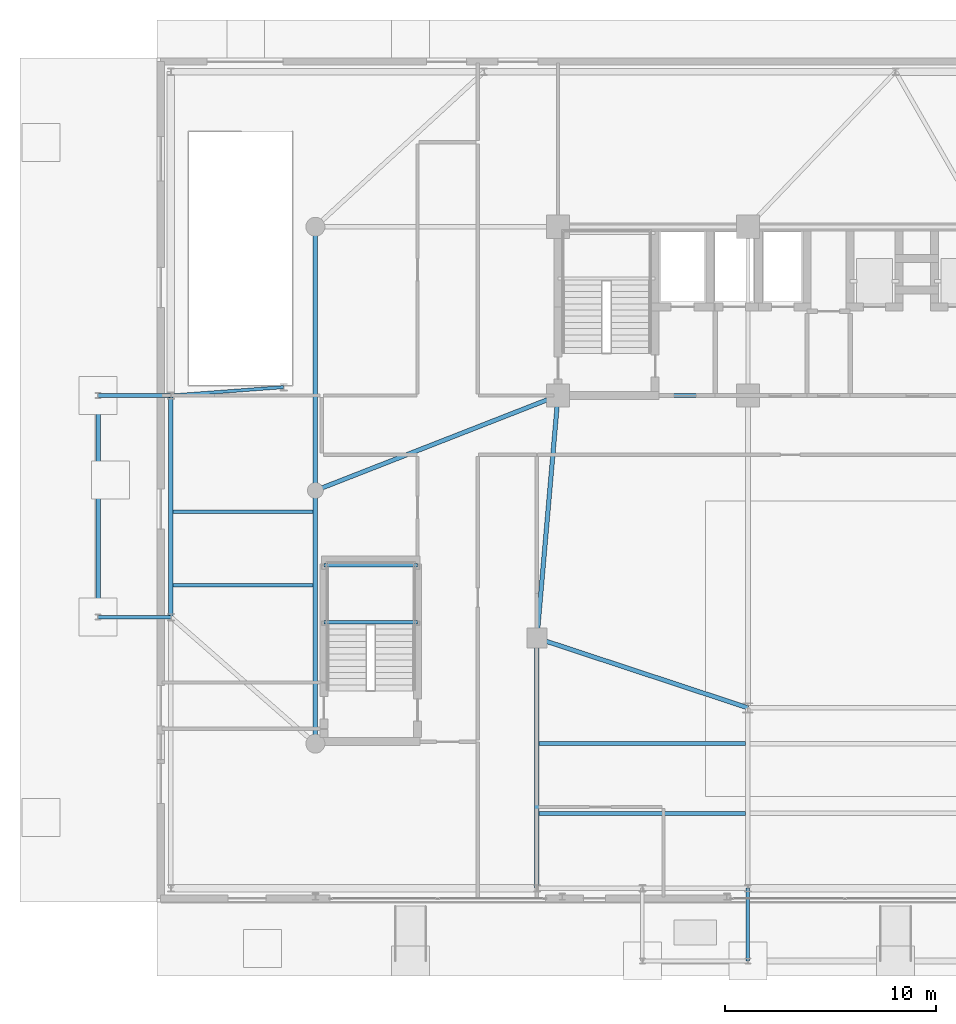
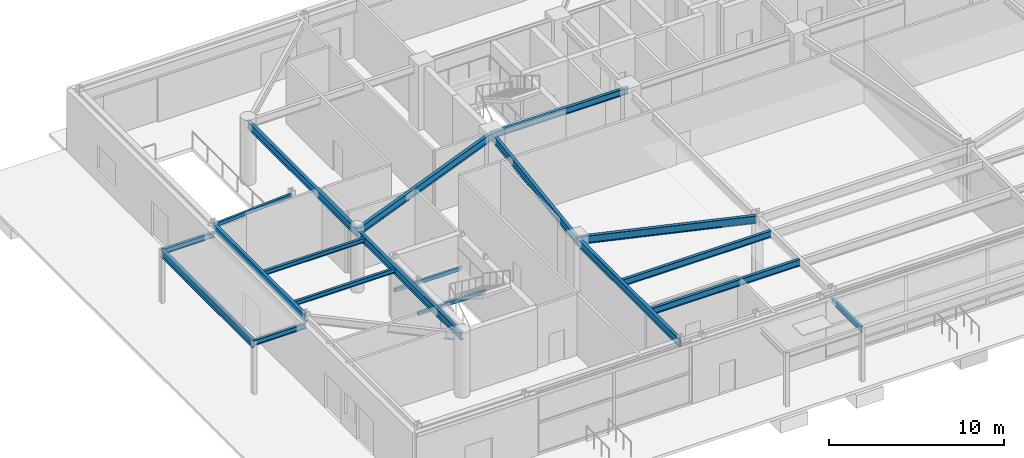
# One storey, part 10 of 29: 19 beams.
"""IFC4 building model written with IfcOpenShell, lengths in metres."""

from ifc_helpers import new_model, si_unit, direction, frame, origin, origin_2d, place, context, subcontext, project, spatial, hollow_rectangle, i_section, extrude, source, transform, mapped, material, material_profile, profile_set, type_object, element, save


model = new_model("IFC4")

# Units and contexts
model_context = context("Model", 3, precision=1e-05, world=origin(), true_north=direction((0.0, 1.0)))
body_context = subcontext(model_context, "Body", "Model", "MODEL_VIEW")
ifc_project = project(units=[si_unit("LENGTHUNIT", "METRE"), si_unit("AREAUNIT", "SQUARE_METRE"), si_unit("VOLUMEUNIT", "CUBIC_METRE"), si_unit("PLANEANGLEUNIT", "RADIAN"), si_unit("MASSUNIT", "GRAM", prefix="KILO")], contexts=[model_context])

# Site, building, storey
site_placement = place(None, origin())
site = spatial("IfcSite", under=ifc_project, at=site_placement, CompositionType="ELEMENT")
building_placement = place(site_placement, origin())
building = spatial("IfcBuilding", under=site, at=building_placement, Name="Taldren Reach Tower", CompositionType="ELEMENT")
storey_placement = place(building_placement, origin())
storey = spatial("IfcBuildingStorey", under=building, at=storey_placement, Name="L00", CompositionType="ELEMENT", Elevation=0.0)

# Beams
ifc_material_1 = material(Name="Steel Gr 350 (350PLUS)", Category="steel")
ifc_material_profile_1 = material_profile(ifc_material_1, i_section(OverallWidth=0.19091796875, OverallDepth=0.4599609375, WebThickness=0.010009765625, FlangeThickness=0.01611328125, at=origin_2d()), Name="460UB82.1")
ifc_profile_set_1 = profile_set([ifc_material_profile_1], Name="Steel Gr 350 (350PLUS)")
beam_type_1 = type_object("IfcBeamType", Name="BM-UB460A", PredefinedType="BEAM", material=ifc_profile_set_1)
shared_shape_1 = source(origin(), body_context, "Body", "SweptSolid", [
    extrude(i_section(OverallWidth=0.19091796875, OverallDepth=0.4599609375, WebThickness=0.010009765625, FlangeThickness=0.01611328125, at=origin_2d()), origin(), (0.0, 0.0, 1.0), 9.0),
])
beam_1_placement = place(storey_placement, frame((19.0, 24.0, 4.06005859375), z_axis=(1.0, 0.0, 0.0), x_axis=(0.0, 1.0, 0.0)))
element("IfcBeam", 1, at=beam_1_placement, inside=storey, type_object=beam_type_1, Name="Core-spine girder L00-SP01", PredefinedType="BEAM", context=body_context, shape_type="MappedRepresentation", body=[
    mapped(shared_shape_1, transform((0.0, 0.0, 0.0), scale=1.0)),
])
ifc_material_profile_2 = material_profile(ifc_material_1, i_section(OverallWidth=0.208984375, OverallDepth=0.532958984375, WebThickness=0.01025390625, FlangeThickness=0.015625, at=origin_2d()), Name="530UB92.4")
ifc_profile_set_2 = profile_set([ifc_material_profile_2], Name="Steel Gr 350 (350PLUS)")
beam_type_2 = type_object("IfcBeamType", Name="BM-UB530A", PredefinedType="BEAM", material=ifc_profile_set_2)
shared_shape_2 = source(origin(), body_context, "Body", "SweptSolid", [
    extrude(i_section(OverallWidth=0.208984375, OverallDepth=0.532958984375, WebThickness=0.01025390625, FlangeThickness=0.015625, at=origin_2d()), origin(), (0.0, 0.0, 1.0), 11.54345703125),
])
beam_2_placement = place(storey_placement, frame((19.0, 24.0, 4.0234375), z_axis=(-0.086629616365, -0.996240588196, 0.0), x_axis=(0.996240588196, -0.086629616365, 0.0)))
element("IfcBeam", 2, at=beam_2_placement, inside=storey, type_object=beam_type_2, Name="Core-spine girder L00-SP09", PredefinedType="BEAM", context=body_context, shape_type="MappedRepresentation", body=[
    mapped(shared_shape_2, transform((0.0, 0.0, 0.0), scale=1.0)),
])
shared_shape_3 = source(origin(), body_context, "Body", "SweptSolid", [
    extrude(i_section(OverallWidth=0.208984375, OverallDepth=0.532958984375, WebThickness=0.01025390625, FlangeThickness=0.015625, at=origin_2d()), origin(), (0.0, 0.0, 1.0), 10.530517578125),
])
beam_3_placement = place(storey_placement, frame((18.0, 12.5, 4.0234375), z_axis=(0.949627269203, -0.313381635689, 0.0), x_axis=(0.313381635689, 0.949627269203, 0.0)))
element("IfcBeam", 3, at=beam_3_placement, inside=storey, type_object=beam_type_2, Name="Core-spine girder L00-SP10", PredefinedType="BEAM", context=body_context, shape_type="MappedRepresentation", body=[
    mapped(shared_shape_3, transform((0.0, 0.0, 0.0), scale=1.0)),
])
ifc_material_profile_3 = material_profile(ifc_material_1, i_section(OverallWidth=0.208984375, OverallDepth=0.528076171875, WebThickness=0.009521484375, FlangeThickness=0.01318359375, at=origin_2d()), Name="530UB82.0")
ifc_profile_set_3 = profile_set([ifc_material_profile_3], Name="Steel Gr 350 (350PLUS)")
beam_type_3 = type_object("IfcBeamType", Name="SP-UB530B", PredefinedType="SPANDREL", material=ifc_profile_set_3)
shared_shape_4 = source(origin(), body_context, "Body", "SweptSolid", [
    extrude(i_section(OverallWidth=0.208984375, OverallDepth=0.528076171875, WebThickness=0.009521484375, FlangeThickness=0.01318359375, at=origin_2d()), origin(), (0.0, 0.0, 1.0), 10.5),
])
beam_4_placement = place(storey_placement, frame((0.64990234375, 13.5, 4.02587890625), z_axis=(0.0, 1.0, 0.0), x_axis=(-1.0, 0.0, 0.0)))
element("IfcBeam", 4, at=beam_4_placement, inside=storey, type_object=beam_type_3, Name="Podium beam L00-PD13", PredefinedType="SPANDREL", context=body_context, shape_type="MappedRepresentation", body=[
    mapped(shared_shape_4, transform((0.0, 0.0, 0.0), scale=1.0)),
])
shared_shape_5 = source(origin(), body_context, "Body", "SweptSolid", [
    extrude(i_section(OverallWidth=0.208984375, OverallDepth=0.532958984375, WebThickness=0.01025390625, FlangeThickness=0.015625, at=origin_2d()), origin(), (0.0, 0.0, 1.0), 12.0),
])
beam_5_placement = place(storey_placement, frame((7.5, 7.5, 4.0234375), z_axis=(0.0, 1.0, 0.0), x_axis=(-1.0, 0.0, 0.0)))
element("IfcBeam", 5, at=beam_5_placement, inside=storey, type_object=beam_type_2, Name="Podium beam L00-PD19", PredefinedType="BEAM", context=body_context, shape_type="MappedRepresentation", body=[
    mapped(shared_shape_5, transform((0.0, 0.0, 0.0), scale=1.0)),
])
shared_shape_6 = source(origin(), body_context, "Body", "SweptSolid", [
    extrude(i_section(OverallWidth=0.208984375, OverallDepth=0.532958984375, WebThickness=0.01025390625, FlangeThickness=0.015625, at=origin_2d()), origin(), (0.0, 0.0, 1.0), 12.5),
])
beam_6_placement = place(storey_placement, frame((7.5, 19.5, 4.0234375), z_axis=(0.0, 1.0, 0.0), x_axis=(-1.0, 0.0, 0.0)))
element("IfcBeam", 6, at=beam_6_placement, inside=storey, type_object=beam_type_2, Name="Podium beam L00-PD20", PredefinedType="BEAM", context=body_context, shape_type="MappedRepresentation", body=[
    mapped(shared_shape_6, transform((0.0, 0.0, 0.0), scale=1.0)),
])
shared_shape_7 = source(origin(), body_context, "Body", "SweptSolid", [
    extrude(i_section(OverallWidth=0.208984375, OverallDepth=0.532958984375, WebThickness=0.01025390625, FlangeThickness=0.015625, at=origin_2d()), origin(), (0.0, 0.0, 1.0), 11.85009765625),
])
beam_7_placement = place(storey_placement, frame((18.0, 0.64990234375, 4.0234375), z_axis=(0.0, 1.0, 0.0), x_axis=(-1.0, 0.0, 0.0)))
element("IfcBeam", 7, at=beam_7_placement, inside=storey, type_object=beam_type_2, Name="Podium beam L00-PD22", PredefinedType="BEAM", context=body_context, shape_type="MappedRepresentation", body=[
    mapped(shared_shape_7, transform((0.0, 0.0, 0.0), scale=1.0)),
])
shared_shape_8 = source(origin(), body_context, "Body", "SweptSolid", [
    extrude(i_section(OverallWidth=0.208984375, OverallDepth=0.532958984375, WebThickness=0.01025390625, FlangeThickness=0.015625, at=origin_2d()), origin(), (0.0, 0.0, 1.0), 12.34912109375),
])
beam_8_placement = place(storey_placement, frame((7.5, 19.5, 4.0234375), z_axis=(0.931242779706, 0.364399348581, 0.0), x_axis=(-0.364399348581, 0.931242779706, 0.0)))
element("IfcBeam", 8, at=beam_8_placement, inside=storey, type_object=beam_type_2, Name="Podium beam L00-PD30", PredefinedType="BEAM", context=body_context, shape_type="MappedRepresentation", body=[
    mapped(shared_shape_8, transform((0.0, 0.0, 0.0), scale=1.0)),
])
shared_shape_9 = source(origin(), body_context, "Body", "SweptSolid", [
    extrude(i_section(OverallWidth=0.19091796875, OverallDepth=0.4599609375, WebThickness=0.010009765625, FlangeThickness=0.01611328125, at=origin_2d()), origin(), (0.0, 0.0, 1.0), 9.791015625),
])
for number, where, z_axis, x_axis, name in (
    (9, (18.1044921875, 4.199951171875, 4.06005859375), (1.0, 0.0, 0.0), (0.0, 1.0, 0.0), "Podium composite floor beam L00-1.1"),
    (10, (18.1044921875, 7.5, 4.06005859375), (1.0, 0.0, 0.0), (0.0, 1.0, 0.0), "Podium composite floor beam L00-2.1"),
):
    element("IfcBeam", number, at=place(storey_placement, frame(where, z_axis=z_axis, x_axis=x_axis)), inside=storey, type_object=beam_type_1, Name=name, PredefinedType="BEAM", context=body_context, shape_type="MappedRepresentation", body=[
        mapped(shared_shape_9, transform((0.0, 0.0, 0.0), scale=1.0)),
    ])
ifc_material_2 = material(Name="Steel Gr 300 (300PLUS, 300 MPa)", Category="steel")
ifc_material_profile_4 = material_profile(ifc_material_2, i_section(OverallWidth=0.166015625, OverallDepth=0.306884765625, WebThickness=0.006591796875, FlangeThickness=0.01171875, at=origin_2d()), Name="310UB46.2")
ifc_profile_set_4 = profile_set([ifc_material_profile_4], Name="Steel Gr 300 (300PLUS, 300 MPa)")
beam_type_4 = type_object("IfcBeamType", Name="JS-UB310", PredefinedType="JOIST", material=ifc_profile_set_4)
shared_shape_10 = source(origin(), body_context, "Body", "SweptSolid", [
    extrude(i_section(OverallWidth=0.166015625, OverallDepth=0.306884765625, WebThickness=0.006591796875, FlangeThickness=0.01171875, at=origin_2d()), origin(), (0.0, 0.0, 1.0), 6.64111328125),
])
for number, where, z_axis, x_axis, name in (
    (11, (0.75439453125, 15.0, 4.136474609375), (1.0, 0.0, 0.0), (0.0, 1.0, 0.0), "Podium wing floor joist L00-3.1"),
    (12, (0.75439453125, 18.5, 4.136474609375), (1.0, 0.0, 0.0), (0.0, 1.0, 0.0), "Podium wing floor joist L00-4.1"),
):
    element("IfcBeam", number, at=place(storey_placement, frame(where, z_axis=z_axis, x_axis=x_axis)), inside=storey, type_object=beam_type_4, Name=name, PredefinedType="JOIST", context=body_context, shape_type="MappedRepresentation", body=[
        mapped(shared_shape_10, transform((0.0, 0.0, 0.0), scale=1.0)),
    ])
ifc_material_3 = material(Name="Steel Gr 350 (C350L0)", Category="steel")
ifc_material_profile_5 = material_profile(ifc_material_3, hollow_rectangle(XDim=0.14990234375, YDim=0.25, WallThickness=0.009033203125, at=origin_2d()), Name="250x150x9.0RHS")
ifc_profile_set_5 = profile_set([ifc_material_profile_5], Name="Steel Gr 350 (C350L0)")
beam_type_5 = type_object("IfcBeamType", Name="LN-RHS250", PredefinedType="LINTEL", material=ifc_profile_set_5)
shared_shape_11 = source(origin(), body_context, "Body", "SweptSolid", [
    extrude(hollow_rectangle(XDim=0.14990234375, YDim=0.25, WallThickness=0.009033203125, at=origin_2d()), origin(), (0.0, 0.0, 1.0), 5.364990234375),
])
beam_9_placement = place(storey_placement, frame((0.64990234375, 24.0, 4.1650390625), z_axis=(0.997218114176, 0.074538800357, 0.0), x_axis=(-0.074538800357, 0.997218114176, 0.0)))
element("IfcBeam", 13, at=beam_9_placement, inside=storey, type_object=beam_type_5, Name="Vehicle ramp portal lintel L00", PredefinedType="LINTEL", context=body_context, shape_type="MappedRepresentation", body=[
    mapped(shared_shape_11, transform((0.0, 0.0, 0.0), scale=1.0)),
])
ifc_material_profile_6 = material_profile(ifc_material_1, i_section(OverallWidth=0.172119140625, OverallDepth=0.35888671875, WebThickness=0.008056640625, FlangeThickness=0.012939453125, at=origin_2d()), Name="360UB56.7")
ifc_profile_set_6 = profile_set([ifc_material_profile_6], Name="Steel Gr 350 (350PLUS)")
beam_type_6 = type_object("IfcBeamType", Name="SP-UB360", PredefinedType="SPANDREL", material=ifc_profile_set_6)
shared_shape_12 = source(origin(), body_context, "Body", "SweptSolid", [
    extrude(i_section(OverallWidth=0.172119140625, OverallDepth=0.35888671875, WebThickness=0.008056640625, FlangeThickness=0.012939453125, at=origin_2d()), origin(), (0.0, 0.0, 1.0), 3.449951171875),
])
for number, where, z_axis, x_axis, name in (
    (14, (28.0, 0.64990234375, 3.54052734375), (0.0, -1.0, 0.0), (1.0, 0.0, 0.0), "South canopy beam 28"),
    (15, (0.64990234375, 13.5, 3.54052734375), (-1.0, 0.0, 0.0), (0.0, -1.0, 0.0), "West canopy beam 13"),
    (16, (0.64990234375, 24.0, 3.54052734375), (-1.0, 0.0, 0.0), (0.0, -1.0, 0.0), "West canopy beam 24"),
):
    element("IfcBeam", number, at=place(storey_placement, frame(where, z_axis=z_axis, x_axis=x_axis)), inside=storey, type_object=beam_type_6, Name=name, PredefinedType="SPANDREL", context=body_context, shape_type="MappedRepresentation", body=[
        mapped(shared_shape_12, transform((0.0, 0.0, 0.0), scale=1.0)),
    ])
shared_shape_13 = source(origin(), body_context, "Body", "SweptSolid", [
    extrude(i_section(OverallWidth=0.208984375, OverallDepth=0.532958984375, WebThickness=0.01025390625, FlangeThickness=0.015625, at=origin_2d()), origin(), (0.0, 0.0, 1.0), 10.5),
])
beam_10_placement = place(storey_placement, frame((-2.800048828125, 13.5, 3.45361328125), z_axis=(0.0, 1.0, 0.0), x_axis=(-1.0, 0.0, 0.0)))
element("IfcBeam", 17, at=beam_10_placement, inside=storey, type_object=beam_type_2, Name="West canopy edge girder", PredefinedType="BEAM", context=body_context, shape_type="MappedRepresentation", body=[
    mapped(shared_shape_13, transform((0.0, 0.0, 0.0), scale=1.0)),
])
shared_shape_14 = source(origin(), body_context, "Body", "SweptSolid", [
    extrude(hollow_rectangle(XDim=0.14990234375, YDim=0.25, WallThickness=0.009033203125, at=origin_2d()), origin(), (0.0, 0.0, 1.0), 4.440185546875),
])
for number, where, z_axis, x_axis, name in (
    (18, (7.89990234375, 13.2548828125, 1.969970703125), (1.0, 0.0, 0.0), (0.0, 1.0, 0.0), "Stair half-landing support beam ST3-L00-1"),
    (19, (7.89990234375, 15.9599609375, 1.969970703125), (1.0, 0.0, 0.0), (0.0, 1.0, 0.0), "Stair half-landing support beam ST3-L00-2"),
):
    element("IfcBeam", number, at=place(storey_placement, frame(where, z_axis=z_axis, x_axis=x_axis)), inside=storey, type_object=beam_type_5, Name=name, PredefinedType="LINTEL", context=body_context, shape_type="MappedRepresentation", body=[
        mapped(shared_shape_14, transform((0.0, 0.0, 0.0), scale=1.0)),
    ])

save(model, "model.ifc")
